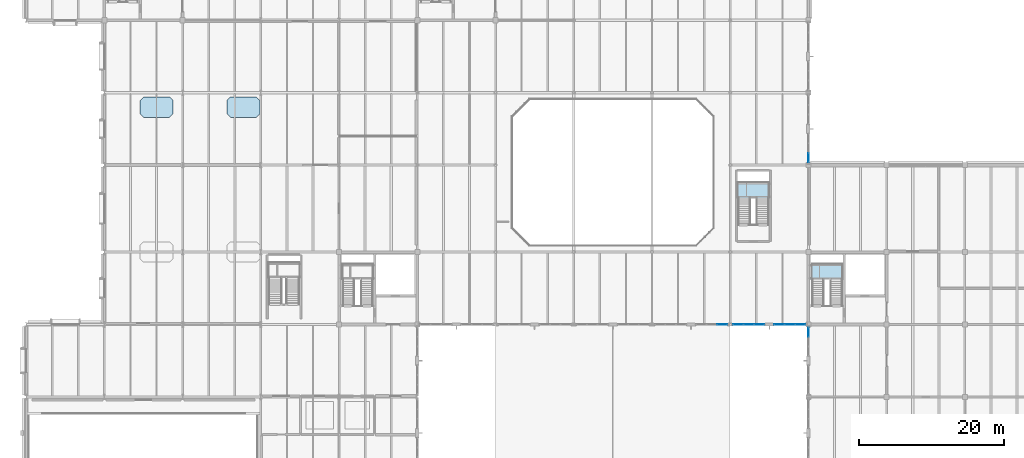
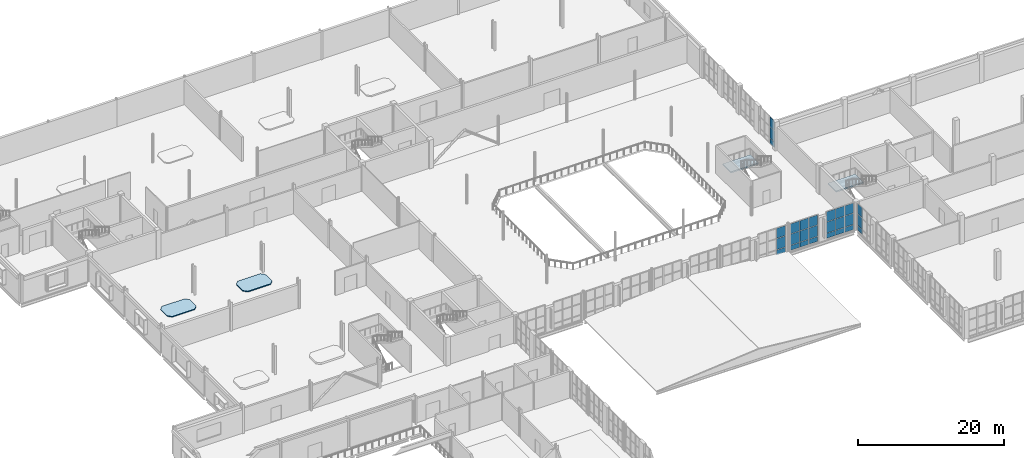
# One storey, part 60 of 92: 27 plates, 4 slabs, 7 elements without a shape of their own.
"""IFC4 building model written with IfcOpenShell, lengths in metres."""

from ifc_helpers import new_model, si_unit, direction, frame, origin, origin_2d, place, context, subcontext, project, spatial, polyline, rectangle, outline, extrude, material, layer, layer_set, type_object, element, aggregate, save


model = new_model("IFC4")

# Units and contexts
model_context = context("Model", 3, precision=1e-05, world=origin(), true_north=direction((0.0, 1.0)))
body_context = subcontext(model_context, "Body", "Model", "MODEL_VIEW")
ifc_project = project(units=[si_unit("LENGTHUNIT", "METRE"), si_unit("AREAUNIT", "SQUARE_METRE"), si_unit("VOLUMEUNIT", "CUBIC_METRE"), si_unit("PLANEANGLEUNIT", "RADIAN"), si_unit("MASSUNIT", "GRAM", prefix="KILO")], contexts=[model_context])

# Site, building, storey
site_placement = place(None, origin())
site = spatial("IfcSite", under=ifc_project, at=site_placement, CompositionType="ELEMENT")
building_placement = place(site_placement, origin())
building = spatial("IfcBuilding", under=site, at=building_placement, Name="Tasgan Crest Museum", CompositionType="ELEMENT")
storey_placement = place(building_placement, frame((0.0, 0.0, 4.800048828125)))
storey = spatial("IfcBuildingStorey", under=building, at=storey_placement, Name="L01", CompositionType="ELEMENT", Elevation=4.800048828125)

# Curtain wall, plate
ifc_material_1 = material(Name="Triple-Glazed Aluminium Curtain Wall", Category="aluminium")
ifc_layer_1 = layer(ifc_material_1, 0.179931640625, Name="CW-DRUM-X-48")
ifc_layer_set_1 = layer_set([ifc_layer_1], Name="Triple-Glazed Aluminium Curtain Wall")
curtain_wall_type_1 = type_object("IfcCurtainWallType", Name="CW-DRUM-X-48", PredefinedType="NOTDEFINED", material=ifc_layer_set_1)
curtain_wall_1_placement = place(storey_placement, origin())
curtain_wall_1 = element("IfcCurtainWall", 1, at=curtain_wall_1_placement, inside=storey, type_object=curtain_wall_type_1, Name="Curtain wall L01 034", PredefinedType="NOTDEFINED")
ifc_material_2 = material(Name="Insulated Spandrel Glass", Category="glass")
ifc_layer_2 = layer(ifc_material_2, 0.052001953125, Name="CW-PANEL-SPANDREL")
ifc_layer_set_2 = layer_set([ifc_layer_2], Name="Insulated Spandrel Glass")
plate_type_1 = type_object("IfcPlateType", Name="CW-PANEL-SPANDREL", PredefinedType="CURTAIN_PANEL", material=ifc_layer_set_2)
plate_1_placement = place(storey_placement, frame((96.08837890625, 40.0, 0.059814453125), z_axis=(0.0, 0.0, 1.0), x_axis=(1.0, 0.0, 0.0)))
plate_1 = element("IfcPlate", 2, at=plate_1_placement, type_object=plate_type_1, Name="CW03 panel 3.1", PredefinedType="CURTAIN_PANEL", context=body_context, shape_type="SweptSolid", body=[
    extrude(rectangle(XDim=1.373291015625, YDim=0.028076171875, at=origin_2d()), origin(), (0.0, 0.0, 1.0), 0.81005859375),
])

# Curtain wall, plates
curtain_wall_2_placement = place(storey_placement, origin())
curtain_wall_2 = element("IfcCurtainWall", 3, at=curtain_wall_2_placement, inside=storey, type_object=curtain_wall_type_1, Name="Curtain wall L01 035", PredefinedType="NOTDEFINED")
plate_2_placement = place(storey_placement, frame((98.311767578125, 40.0, 0.059814453125), z_axis=(0.0, 0.0, 1.0), x_axis=(1.0, 0.0, 0.0)))
plate_2 = element("IfcPlate", 4, at=plate_2_placement, type_object=plate_type_1, Name="CW03 panel 1.1", PredefinedType="CURTAIN_PANEL", context=body_context, shape_type="SweptSolid", body=[
    extrude(rectangle(XDim=1.373291015625, YDim=0.028076171875, at=origin_2d()), origin(), (0.0, 0.0, 1.0), 0.81005859375),
])
plate_3_placement = place(storey_placement, frame((99.760009765625, 40.0, 0.059814453125), z_axis=(0.0, 0.0, 1.0), x_axis=(1.0, 0.0, 0.0)))
plate_3 = element("IfcPlate", 5, at=plate_3_placement, type_object=plate_type_1, Name="CW03 panel 2.1", PredefinedType="CURTAIN_PANEL", context=body_context, shape_type="SweptSolid", body=[
    extrude(rectangle(XDim=1.4033203125, YDim=0.028076171875, at=origin_2d()), origin(), (0.0, 0.0, 1.0), 0.81005859375),
])
plate_4_placement = place(storey_placement, frame((101.208251953125, 40.0, 0.059814453125), z_axis=(0.0, 0.0, 1.0), x_axis=(1.0, 0.0, 0.0)))
plate_4 = element("IfcPlate", 6, at=plate_4_placement, type_object=plate_type_1, Name="CW03 panel 3.1", PredefinedType="CURTAIN_PANEL", context=body_context, shape_type="SweptSolid", body=[
    extrude(rectangle(XDim=1.373291015625, YDim=0.028076171875, at=origin_2d()), origin(), (0.0, 0.0, 1.0), 0.81005859375),
])

curtain_wall_3_placement = place(storey_placement, origin())
curtain_wall_3 = element("IfcCurtainWall", 7, at=curtain_wall_3_placement, inside=storey, type_object=curtain_wall_type_1, Name="Curtain wall L01 036", PredefinedType="NOTDEFINED")
plate_5_placement = place(storey_placement, frame((103.99169921875, 40.0, 0.059814453125), z_axis=(0.0, 0.0, 1.0), x_axis=(1.0, 0.0, 0.0)))
plate_5 = element("IfcPlate", 8, at=plate_5_placement, type_object=plate_type_1, Name="CW03 panel 1.1", PredefinedType="CURTAIN_PANEL", context=body_context, shape_type="SweptSolid", body=[
    extrude(rectangle(XDim=1.373291015625, YDim=0.028076171875, at=origin_2d()), origin(), (0.0, 0.0, 1.0), 0.81005859375),
])
plate_6_placement = place(storey_placement, frame((105.43994140625, 40.0, 0.059814453125), z_axis=(0.0, 0.0, 1.0), x_axis=(1.0, 0.0, 0.0)))
plate_6 = element("IfcPlate", 9, at=plate_6_placement, type_object=plate_type_1, Name="CW03 panel 2.1", PredefinedType="CURTAIN_PANEL", context=body_context, shape_type="SweptSolid", body=[
    extrude(rectangle(XDim=1.4033203125, YDim=0.028076171875, at=origin_2d()), origin(), (0.0, 0.0, 1.0), 0.81005859375),
])
plate_7_placement = place(storey_placement, frame((106.888427734375, 40.0, 0.059814453125), z_axis=(0.0, 0.0, 1.0), x_axis=(1.0, 0.0, 0.0)))
plate_7 = element("IfcPlate", 10, at=plate_7_placement, type_object=plate_type_1, Name="CW03 panel 3.1", PredefinedType="CURTAIN_PANEL", context=body_context, shape_type="SweptSolid", body=[
    extrude(rectangle(XDim=1.373291015625, YDim=0.028076171875, at=origin_2d()), origin(), (0.0, 0.0, 1.0), 0.81005859375),
])

# Curtain wall, plate
ifc_material_3 = material(Name="Triple-Glazed Aluminium Curtain Wall", Category="aluminium")
ifc_layer_3 = layer(ifc_material_3, 0.179931640625, Name="CW-PORCH-Y")
ifc_layer_set_3 = layer_set([ifc_layer_3], Name="Triple-Glazed Aluminium Curtain Wall")
curtain_wall_type_2 = type_object("IfcCurtainWallType", Name="CW-PORCH-Y", PredefinedType="NOTDEFINED", material=ifc_layer_set_3)
curtain_wall_4_placement = place(storey_placement, origin())
curtain_wall_4 = element("IfcCurtainWall", 11, at=curtain_wall_4_placement, inside=storey, type_object=curtain_wall_type_2, Name="Curtain wall L01 037", PredefinedType="NOTDEFINED")
plate_8_placement = place(storey_placement, frame((108.0, 38.955078125, 0.059814453125), z_axis=(0.0, 0.0, 1.0), x_axis=(0.0, -1.0, 0.0)))
plate_8 = element("IfcPlate", 12, at=plate_8_placement, type_object=plate_type_1, Name="CW02 panel 1.1", PredefinedType="CURTAIN_PANEL", context=body_context, shape_type="SweptSolid", body=[
    extrude(rectangle(XDim=1.239990234375, YDim=0.028076171875, at=origin_2d()), origin(), (0.0, 0.0, 1.0), 0.81005859375),
])

ifc_material_4 = material(Name="Triple-Glazed Aluminium Curtain Wall", Category="aluminium")
ifc_layer_4 = layer(ifc_material_4, 0.179931640625, Name="CW-DRUM-Y10-48")
ifc_layer_set_4 = layer_set([ifc_layer_4], Name="Triple-Glazed Aluminium Curtain Wall")
curtain_wall_type_3 = type_object("IfcCurtainWallType", Name="CW-DRUM-Y10-48", PredefinedType="NOTDEFINED", material=ifc_layer_set_4)
curtain_wall_5_placement = place(storey_placement, origin())
curtain_wall_5 = element("IfcCurtainWall", 13, at=curtain_wall_5_placement, inside=storey, type_object=curtain_wall_type_3, Name="Curtain wall L01 057", PredefinedType="NOTDEFINED")
plate_9_placement = place(storey_placement, frame((108.0, 63.044921875, 0.059814453125), z_axis=(0.0, 0.0, 1.0), x_axis=(0.0, 1.0, 0.0)))
plate_9 = element("IfcPlate", 14, at=plate_9_placement, type_object=plate_type_1, Name="CW04 panel 1.1", PredefinedType="CURTAIN_PANEL", context=body_context, shape_type="SweptSolid", body=[
    extrude(rectangle(XDim=1.239990234375, YDim=0.028076171875, at=origin_2d()), origin(), (0.0, 0.0, 1.0), 0.81005859375),
])

# Plate
ifc_material_5 = material(Name="Low-E Triple Glazing", Category="glass")
ifc_layer_5 = layer(ifc_material_5, 0.0439453125, Name="CW-PANEL-TRIPLE")
ifc_layer_set_5 = layer_set([ifc_layer_5], Name="Low-E Triple Glazing")
plate_type_2 = type_object("IfcPlateType", Name="CW-PANEL-TRIPLE", PredefinedType="CURTAIN_PANEL", material=ifc_layer_set_5)
plate_10_placement = place(storey_placement, frame((96.08837890625, 40.0, 0.9296875), z_axis=(0.0, 0.0, 1.0), x_axis=(1.0, 0.0, 0.0)))
plate_10 = element("IfcPlate", 15, at=plate_10_placement, type_object=plate_type_2, Name="CW03 panel 3.2", PredefinedType="CURTAIN_PANEL", context=body_context, shape_type="SweptSolid", body=[
    extrude(rectangle(XDim=1.373291015625, YDim=0.028076171875, at=origin_2d()), origin(), (0.0, 0.0, 1.0), 1.840087890625),
])

plate_11_placement = place(storey_placement, frame((96.08837890625, 40.0, 2.830078125), z_axis=(0.0, 0.0, 1.0), x_axis=(1.0, 0.0, 0.0)))
plate_11 = element("IfcPlate", 16, at=plate_11_placement, type_object=plate_type_2, Name="CW03 panel 3.3", PredefinedType="CURTAIN_PANEL", context=body_context, shape_type="SweptSolid", body=[
    extrude(rectangle(XDim=1.373291015625, YDim=0.028076171875, at=origin_2d()), origin(), (0.0, 0.0, 1.0), 1.669921875),
])

aggregate(curtain_wall_1, [plate_1, plate_10, plate_11])

plate_12_placement = place(storey_placement, frame((98.311767578125, 40.0, 0.9296875), z_axis=(0.0, 0.0, 1.0), x_axis=(1.0, 0.0, 0.0)))
plate_12 = element("IfcPlate", 17, at=plate_12_placement, type_object=plate_type_2, Name="CW03 panel 1.2", PredefinedType="CURTAIN_PANEL", context=body_context, shape_type="SweptSolid", body=[
    extrude(rectangle(XDim=1.373291015625, YDim=0.028076171875, at=origin_2d()), origin(), (0.0, 0.0, 1.0), 1.840087890625),
])

plate_13_placement = place(storey_placement, frame((98.311767578125, 40.0, 2.830078125), z_axis=(0.0, 0.0, 1.0), x_axis=(1.0, 0.0, 0.0)))
plate_13 = element("IfcPlate", 18, at=plate_13_placement, type_object=plate_type_2, Name="CW03 panel 1.3", PredefinedType="CURTAIN_PANEL", context=body_context, shape_type="SweptSolid", body=[
    extrude(rectangle(XDim=1.373291015625, YDim=0.028076171875, at=origin_2d()), origin(), (0.0, 0.0, 1.0), 1.669921875),
])

plate_14_placement = place(storey_placement, frame((99.760009765625, 40.0, 0.9296875), z_axis=(0.0, 0.0, 1.0), x_axis=(1.0, 0.0, 0.0)))
plate_14 = element("IfcPlate", 19, at=plate_14_placement, type_object=plate_type_2, Name="CW03 panel 2.2", PredefinedType="CURTAIN_PANEL", context=body_context, shape_type="SweptSolid", body=[
    extrude(rectangle(XDim=1.4033203125, YDim=0.028076171875, at=origin_2d()), origin(), (0.0, 0.0, 1.0), 1.840087890625),
])

plate_15_placement = place(storey_placement, frame((99.760009765625, 40.0, 2.830078125), z_axis=(0.0, 0.0, 1.0), x_axis=(1.0, 0.0, 0.0)))
plate_15 = element("IfcPlate", 20, at=plate_15_placement, type_object=plate_type_2, Name="CW03 panel 2.3", PredefinedType="CURTAIN_PANEL", context=body_context, shape_type="SweptSolid", body=[
    extrude(rectangle(XDim=1.4033203125, YDim=0.028076171875, at=origin_2d()), origin(), (0.0, 0.0, 1.0), 1.669921875),
])

plate_16_placement = place(storey_placement, frame((101.208251953125, 40.0, 0.9296875), z_axis=(0.0, 0.0, 1.0), x_axis=(1.0, 0.0, 0.0)))
plate_16 = element("IfcPlate", 21, at=plate_16_placement, type_object=plate_type_2, Name="CW03 panel 3.2", PredefinedType="CURTAIN_PANEL", context=body_context, shape_type="SweptSolid", body=[
    extrude(rectangle(XDim=1.373291015625, YDim=0.028076171875, at=origin_2d()), origin(), (0.0, 0.0, 1.0), 1.840087890625),
])

plate_17_placement = place(storey_placement, frame((101.208251953125, 40.0, 2.830078125), z_axis=(0.0, 0.0, 1.0), x_axis=(1.0, 0.0, 0.0)))
plate_17 = element("IfcPlate", 22, at=plate_17_placement, type_object=plate_type_2, Name="CW03 panel 3.3", PredefinedType="CURTAIN_PANEL", context=body_context, shape_type="SweptSolid", body=[
    extrude(rectangle(XDim=1.373291015625, YDim=0.028076171875, at=origin_2d()), origin(), (0.0, 0.0, 1.0), 1.669921875),
])

aggregate(curtain_wall_2, [plate_2, plate_12, plate_13, plate_3, plate_14, plate_15, plate_4, plate_16, plate_17])

plate_18_placement = place(storey_placement, frame((103.99169921875, 40.0, 0.9296875), z_axis=(0.0, 0.0, 1.0), x_axis=(1.0, 0.0, 0.0)))
plate_18 = element("IfcPlate", 23, at=plate_18_placement, type_object=plate_type_2, Name="CW03 panel 1.2", PredefinedType="CURTAIN_PANEL", context=body_context, shape_type="SweptSolid", body=[
    extrude(rectangle(XDim=1.373291015625, YDim=0.028076171875, at=origin_2d()), origin(), (0.0, 0.0, 1.0), 1.840087890625),
])

plate_19_placement = place(storey_placement, frame((103.99169921875, 40.0, 2.830078125), z_axis=(0.0, 0.0, 1.0), x_axis=(1.0, 0.0, 0.0)))
plate_19 = element("IfcPlate", 24, at=plate_19_placement, type_object=plate_type_2, Name="CW03 panel 1.3", PredefinedType="CURTAIN_PANEL", context=body_context, shape_type="SweptSolid", body=[
    extrude(rectangle(XDim=1.373291015625, YDim=0.028076171875, at=origin_2d()), origin(), (0.0, 0.0, 1.0), 1.669921875),
])

plate_20_placement = place(storey_placement, frame((105.43994140625, 40.0, 0.9296875), z_axis=(0.0, 0.0, 1.0), x_axis=(1.0, 0.0, 0.0)))
plate_20 = element("IfcPlate", 25, at=plate_20_placement, type_object=plate_type_2, Name="CW03 panel 2.2", PredefinedType="CURTAIN_PANEL", context=body_context, shape_type="SweptSolid", body=[
    extrude(rectangle(XDim=1.4033203125, YDim=0.028076171875, at=origin_2d()), origin(), (0.0, 0.0, 1.0), 1.840087890625),
])

plate_21_placement = place(storey_placement, frame((105.43994140625, 40.0, 2.830078125), z_axis=(0.0, 0.0, 1.0), x_axis=(1.0, 0.0, 0.0)))
plate_21 = element("IfcPlate", 26, at=plate_21_placement, type_object=plate_type_2, Name="CW03 panel 2.3", PredefinedType="CURTAIN_PANEL", context=body_context, shape_type="SweptSolid", body=[
    extrude(rectangle(XDim=1.4033203125, YDim=0.028076171875, at=origin_2d()), origin(), (0.0, 0.0, 1.0), 1.669921875),
])

plate_22_placement = place(storey_placement, frame((106.888427734375, 40.0, 0.9296875), z_axis=(0.0, 0.0, 1.0), x_axis=(1.0, 0.0, 0.0)))
plate_22 = element("IfcPlate", 27, at=plate_22_placement, type_object=plate_type_2, Name="CW03 panel 3.2", PredefinedType="CURTAIN_PANEL", context=body_context, shape_type="SweptSolid", body=[
    extrude(rectangle(XDim=1.373291015625, YDim=0.028076171875, at=origin_2d()), origin(), (0.0, 0.0, 1.0), 1.840087890625),
])

plate_23_placement = place(storey_placement, frame((106.888427734375, 40.0, 2.830078125), z_axis=(0.0, 0.0, 1.0), x_axis=(1.0, 0.0, 0.0)))
plate_23 = element("IfcPlate", 28, at=plate_23_placement, type_object=plate_type_2, Name="CW03 panel 3.3", PredefinedType="CURTAIN_PANEL", context=body_context, shape_type="SweptSolid", body=[
    extrude(rectangle(XDim=1.373291015625, YDim=0.028076171875, at=origin_2d()), origin(), (0.0, 0.0, 1.0), 1.669921875),
])

aggregate(curtain_wall_3, [plate_5, plate_18, plate_19, plate_6, plate_20, plate_21, plate_7, plate_22, plate_23])

plate_24_placement = place(storey_placement, frame((108.0, 38.955078125, 0.9296875), z_axis=(0.0, 0.0, 1.0), x_axis=(0.0, -1.0, 0.0)))
plate_24 = element("IfcPlate", 29, at=plate_24_placement, type_object=plate_type_2, Name="CW02 panel 1.2", PredefinedType="CURTAIN_PANEL", context=body_context, shape_type="SweptSolid", body=[
    extrude(rectangle(XDim=1.239990234375, YDim=0.028076171875, at=origin_2d()), origin(), (0.0, 0.0, 1.0), 1.840087890625),
])

plate_25_placement = place(storey_placement, frame((108.0, 38.955078125, 2.830078125), z_axis=(0.0, 0.0, 1.0), x_axis=(0.0, -1.0, 0.0)))
plate_25 = element("IfcPlate", 30, at=plate_25_placement, type_object=plate_type_2, Name="CW02 panel 1.3", PredefinedType="CURTAIN_PANEL", context=body_context, shape_type="SweptSolid", body=[
    extrude(rectangle(XDim=1.239990234375, YDim=0.028076171875, at=origin_2d()), origin(), (0.0, 0.0, 1.0), 1.669921875),
])

aggregate(curtain_wall_4, [plate_8, plate_24, plate_25])

plate_26_placement = place(storey_placement, frame((108.0, 63.044921875, 0.9296875), z_axis=(0.0, 0.0, 1.0), x_axis=(0.0, 1.0, 0.0)))
plate_26 = element("IfcPlate", 31, at=plate_26_placement, type_object=plate_type_2, Name="CW04 panel 1.2", PredefinedType="CURTAIN_PANEL", context=body_context, shape_type="SweptSolid", body=[
    extrude(rectangle(XDim=1.239990234375, YDim=0.028076171875, at=origin_2d()), origin(), (0.0, 0.0, 1.0), 1.840087890625),
])

plate_27_placement = place(storey_placement, frame((108.0, 63.044921875, 2.830078125), z_axis=(0.0, 0.0, 1.0), x_axis=(0.0, 1.0, 0.0)))
plate_27 = element("IfcPlate", 32, at=plate_27_placement, type_object=plate_type_2, Name="CW04 panel 1.3", PredefinedType="CURTAIN_PANEL", context=body_context, shape_type="SweptSolid", body=[
    extrude(rectangle(XDim=1.239990234375, YDim=0.028076171875, at=origin_2d()), origin(), (0.0, 0.0, 1.0), 1.669921875),
])

aggregate(curtain_wall_5, [plate_9, plate_26, plate_27])

# Slabs
ifc_material_6 = material(Name="Concrete C35/45", Category="concrete")
ifc_layer_6 = layer(ifc_material_6, 0.139892578125, Name="SL-DAIS-T01")
ifc_layer_set_6 = layer_set([ifc_layer_6], Name="Concrete C35/45")
slab_type_1 = type_object("IfcSlabType", Name="SL-DAIS-T01", PredefinedType="FLOOR", material=ifc_layer_set_6)
slab_1_placement = place(storey_placement, origin())
element("IfcSlab", 33, at=slab_1_placement, inside=storey, type_object=slab_type_1, Name="Exhibition specimen dais L01-11", PredefinedType="FLOOR", context=body_context, shape_type="SweptSolid", body=[
    extrude(outline(polyline([(16.199951171875, 68.60009765625), (19.800048828125, 68.60009765625), (20.300048828125, 69.10009765625), (20.300048828125, 70.89990234375), (19.800048828125, 71.39990234375), (16.199951171875, 71.39990234375), (15.699951171875, 70.89990234375), (15.699951171875, 69.10009765625), (16.199951171875, 68.60009765625)])), origin(), (0.0, 0.0, 1.0), 0.139892578125),
])
ifc_material_7 = material(Name="Concrete C35/45", Category="concrete")
ifc_layer_7 = layer(ifc_material_7, 0.14990234375, Name="SL-DAIS-T02")
ifc_layer_set_7 = layer_set([ifc_layer_7], Name="Concrete C35/45")
slab_type_2 = type_object("IfcSlabType", Name="SL-DAIS-T02", PredefinedType="FLOOR", material=ifc_layer_set_7)
slab_2_placement = place(storey_placement, origin())
element("IfcSlab", 34, at=slab_2_placement, inside=storey, type_object=slab_type_2, Name="Exhibition specimen dais L01-12", PredefinedType="FLOOR", context=body_context, shape_type="SweptSolid", body=[
    extrude(outline(polyline([(28.199951171875, 68.60009765625), (31.800048828125, 68.60009765625), (32.300048828125, 69.10009765625), (32.300048828125, 70.89990234375), (31.800048828125, 71.39990234375), (28.199951171875, 71.39990234375), (27.699951171875, 70.89990234375), (27.699951171875, 69.10009765625), (28.199951171875, 68.60009765625)])), origin(), (0.0, 0.0, 1.0), 0.14990234375),
])

# Stair, slab
ifc_material_8 = material(Name="Concrete C35/45", Category="concrete")
stair_type_1 = type_object("IfcStairType", Name="ST-CORE-48", PredefinedType="HALF_TURN_STAIR", material=ifc_material_8)
stair_1_placement = place(storey_placement, origin())
stair_1 = element("IfcStair", 35, at=stair_1_placement, inside=storey, type_object=stair_type_1, Name="Stair ST-SE-L01 L01", PredefinedType="HALF_TURN_STAIR")
ifc_material_9 = material(Name="Concrete C35/45", Category="concrete")
ifc_layer_8 = layer(ifc_material_9, 0.199951171875, Name="SL-LAND-200")
ifc_layer_set_8 = layer_set([ifc_layer_8], Name="Concrete C35/45")
slab_type_3 = type_object("IfcSlabType", Name="SL-LAND-200", PredefinedType="LANDING", material=ifc_layer_set_8)
slab_3_placement = place(storey_placement, frame((0.0, 0.0, 2.199951171875)))
slab_3 = element("IfcSlab", 36, at=slab_3_placement, type_object=slab_type_3, Name="ST-SE-L01 landing 1", PredefinedType="LANDING", context=body_context, shape_type="SweptSolid", body=[
    extrude(outline(polyline([(108.419921875, 46.205078125), (112.72998046875, 46.205078125), (112.72998046875, 48.455078125), (108.419921875, 48.455078125), (108.419921875, 46.205078125)])), origin(), (0.0, 0.0, 1.0), 0.199951171875),
])
aggregate(stair_1, [slab_3])

ifc_material_10 = material(Name="Steel S355J2", Category="steel")
stair_type_2 = type_object("IfcStairType", Name="ST-FEAT-48", PredefinedType="HALF_TURN_STAIR", material=ifc_material_10)
stair_2_placement = place(storey_placement, origin())
stair_2 = element("IfcStair", 37, at=stair_2_placement, inside=storey, type_object=stair_type_2, Name="Stair ST-AT-L01 L01", PredefinedType="HALF_TURN_STAIR")
slab_4_placement = place(storey_placement, frame((0.0, 0.0, 2.199951171875)))
slab_4 = element("IfcSlab", 38, at=slab_4_placement, type_object=slab_type_3, Name="ST-AT-L01 landing 1", PredefinedType="LANDING", context=body_context, shape_type="SweptSolid", body=[
    extrude(outline(polyline([(98.199951171875, 57.405029296875), (102.60009765625, 57.405029296875), (102.60009765625, 59.655029296875), (98.199951171875, 59.655029296875), (98.199951171875, 57.405029296875)])), origin(), (0.0, 0.0, 1.0), 0.199951171875),
])
aggregate(stair_2, [slab_4])

save(model, "model.ifc")
